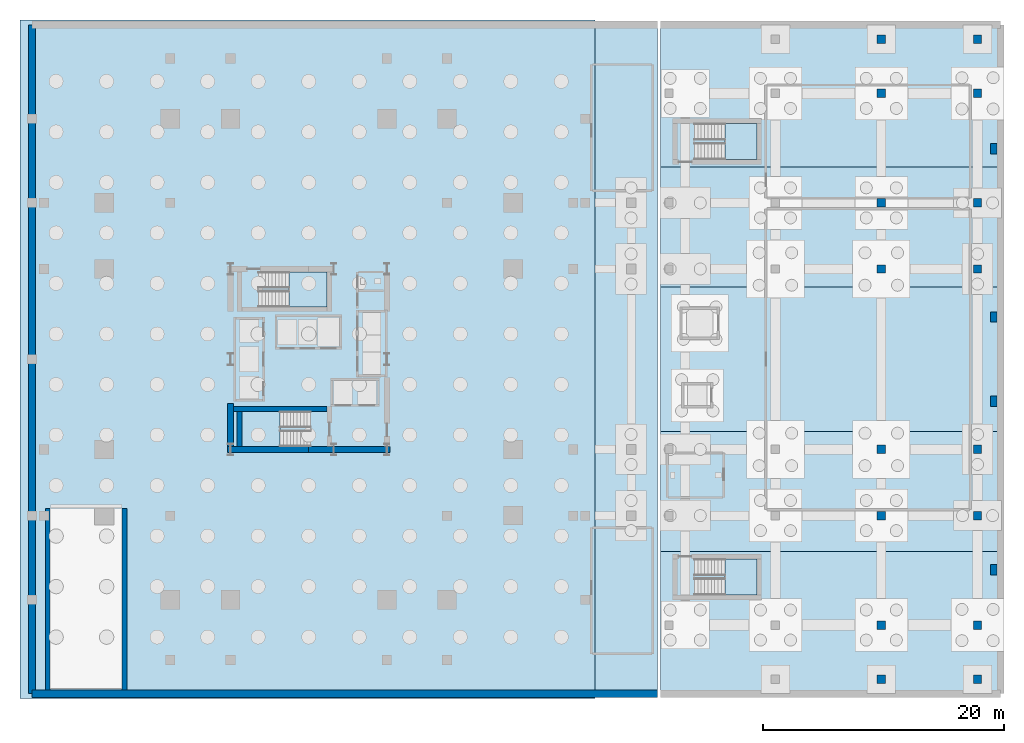
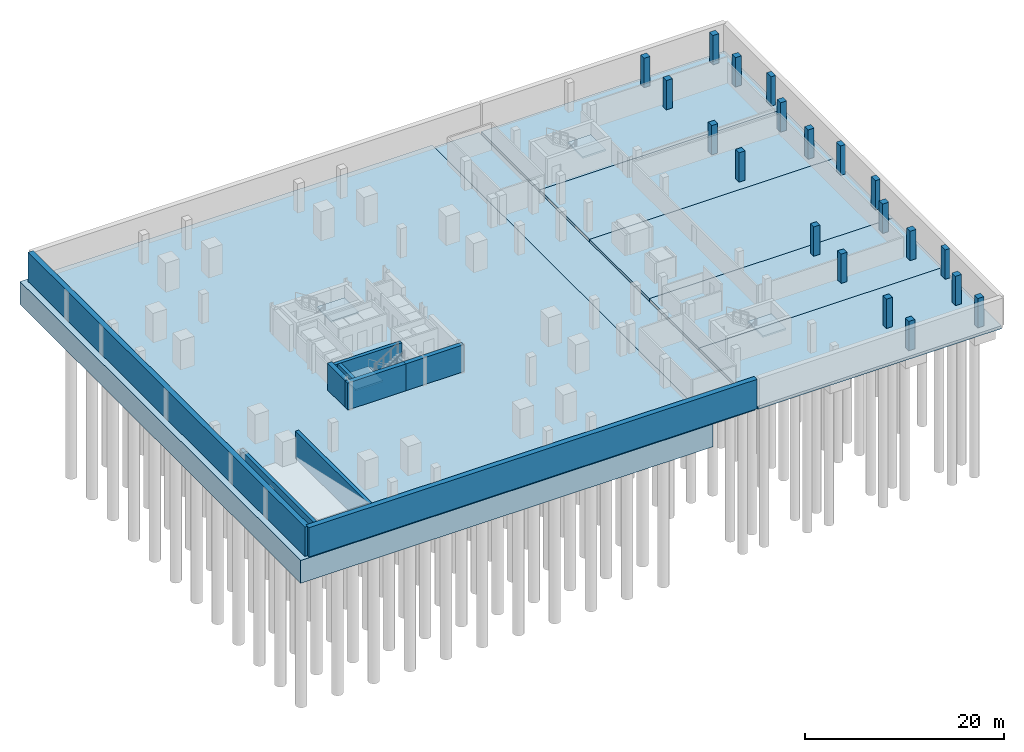
# One storey, part 4 of 13: 20 columns, 11 slabs, 9 walls, 4 elements without a shape of their own.
"""IFC4 building model written with IfcOpenShell, lengths in metres."""

from ifc_helpers import new_model, si_unit, direction, frame, frame_2d, origin, origin_2d, place, context, subcontext, project, spatial, polyline, rectangle, outline, extrude, material, layer, layer_set, material_profile, profile_set, type_object, element, aggregate, save


model = new_model("IFC4")

# Units and contexts
model_context = context("Model", 3, precision=1e-05, world=origin(), true_north=direction((0.0, 1.0)))
body_context = subcontext(model_context, "Body", "Model", "MODEL_VIEW")
ifc_project = project(units=[si_unit("LENGTHUNIT", "METRE"), si_unit("AREAUNIT", "SQUARE_METRE"), si_unit("VOLUMEUNIT", "CUBIC_METRE"), si_unit("PLANEANGLEUNIT", "RADIAN"), si_unit("MASSUNIT", "GRAM", prefix="KILO")], contexts=[model_context])

# Site, building, storey
site_placement = place(None, origin())
site = spatial("IfcSite", under=ifc_project, at=site_placement, CompositionType="ELEMENT")
building_placement = place(site_placement, origin())
building = spatial("IfcBuilding", under=site, at=building_placement, Name="Barlavira Tower and Art Museum", CompositionType="ELEMENT")
storey_placement = place(building_placement, frame((0.0, 0.0, -7.199951171875)))
storey = spatial("IfcBuildingStorey", under=building, at=storey_placement, Name="B02", CompositionType="ELEMENT", Elevation=-7.199951171875)

# Columns
ifc_material_1 = material(Name="Concrete C50", Category="concrete")
ifc_material_profile_1 = material_profile(ifc_material_1, rectangle(XDim=0.550048828125, YDim=0.85009765625, at=origin_2d()), Name="RC-PIL 550x850")
ifc_profile_set_1 = profile_set([ifc_material_profile_1], Name="Concrete C50")
column_type_1 = type_object("IfcColumnType", Name="Museum Coastal Facade Pilaster 550x850 Concrete C50", PredefinedType="PILASTER", material=ifc_profile_set_1)
for number, where, z_axis, x_axis, name in (
    (1, (56.949951171875, -17.5, 0.0), (0.0, 0.0, 1.0), (1.0, 0.0, 0.0), "B02 Museum Facade Pilaster 1"),
    (2, (56.949951171875, -3.5, 0.0), (0.0, 0.0, 1.0), (1.0, 0.0, 0.0), "B02 Museum Facade Pilaster 2"),
    (3, (56.949951171875, 3.5, 0.0), (0.0, 0.0, 1.0), (1.0, 0.0, 0.0), "B02 Museum Facade Pilaster 3"),
    (4, (56.949951171875, 17.5, 0.0), (0.0, 0.0, 1.0), (1.0, 0.0, 0.0), "B02 Museum Facade Pilaster 4"),
):
    element("IfcColumn", number, at=place(storey_placement, frame(where, z_axis=z_axis, x_axis=x_axis)), inside=storey, type_object=column_type_1, Name=name, PredefinedType="PILASTER", context=body_context, shape_type="SweptSolid", body=[
        extrude(rectangle(XDim=0.550048828125, YDim=0.85009765625, at=origin_2d()), origin(), (0.0, 0.0, 1.0), 3.599853515625),
    ])
ifc_material_profile_2 = material_profile(ifc_material_1, rectangle(XDim=0.699951171875, YDim=0.699951171875, at=origin_2d()), Name="RC-COL 700x700")
ifc_profile_set_2 = profile_set([ifc_material_profile_2], Name="Concrete C50")
column_type_2 = type_object("IfcColumnType", Name="Museum Frame Column 700x700 Concrete C50", PredefinedType="COLUMN", material=ifc_profile_set_2)
for number, where, z_axis, x_axis, name in (
    (5, (47.60009765625, -26.60009765625, 0.0), (0.0, 0.0, 1.0), (1.0, 0.0, 0.0), "B02 Pergola Column 2"),
    (6, (55.60009765625, -26.60009765625, 0.0), (0.0, 0.0, 1.0), (1.0, 0.0, 0.0), "B02 Pergola Column 3"),
    (7, (47.60009765625, 26.60009765625, 0.0), (0.0, 0.0, 1.0), (1.0, 0.0, 0.0), "B02 Pergola Column 5"),
    (8, (55.60009765625, 26.60009765625, 0.0), (0.0, 0.0, 1.0), (1.0, 0.0, 0.0), "B02 Pergola Column 6"),
    (9, (47.60009765625, -22.10009765625, 0.0), (0.0, 0.0, 1.0), (1.0, 0.0, 0.0), "B02 Museum Column 3-1"),
    (10, (47.60009765625, -13.0, 0.0), (0.0, 0.0, 1.0), (1.0, 0.0, 0.0), "B02 Museum Column 3-2"),
    (11, (47.60009765625, -7.5, 0.0), (0.0, 0.0, 1.0), (1.0, 0.0, 0.0), "B02 Museum Column 3-3"),
    (12, (47.60009765625, 7.5, 0.0), (0.0, 0.0, 1.0), (1.0, 0.0, 0.0), "B02 Museum Column 3-4"),
    (13, (47.60009765625, 13.0, 0.0), (0.0, 0.0, 1.0), (1.0, 0.0, 0.0), "B02 Museum Column 3-5"),
    (14, (47.60009765625, 22.10009765625, 0.0), (0.0, 0.0, 1.0), (1.0, 0.0, 0.0), "B02 Museum Column 3-6"),
    (15, (55.60009765625, -22.10009765625, 0.0), (0.0, 0.0, 1.0), (1.0, 0.0, 0.0), "B02 Museum Column 4-1"),
    (16, (55.60009765625, -13.0, 0.0), (0.0, 0.0, 1.0), (1.0, 0.0, 0.0), "B02 Museum Column 4-2"),
    (17, (55.60009765625, -7.5, 0.0), (0.0, 0.0, 1.0), (1.0, 0.0, 0.0), "B02 Museum Column 4-3"),
    (18, (55.60009765625, 7.5, 0.0), (0.0, 0.0, 1.0), (1.0, 0.0, 0.0), "B02 Museum Column 4-4"),
    (19, (55.60009765625, 13.0, 0.0), (0.0, 0.0, 1.0), (1.0, 0.0, 0.0), "B02 Museum Column 4-5"),
    (20, (55.60009765625, 22.10009765625, 0.0), (0.0, 0.0, 1.0), (1.0, 0.0, 0.0), "B02 Museum Column 4-6"),
):
    element("IfcColumn", number, at=place(storey_placement, frame(where, z_axis=z_axis, x_axis=x_axis)), inside=storey, type_object=column_type_2, Name=name, PredefinedType="COLUMN", context=body_context, shape_type="SweptSolid", body=[
        extrude(rectangle(XDim=0.699951171875, YDim=0.699951171875, at=origin_2d()), origin(), (0.0, 0.0, 1.0), 3.599853515625),
    ])

# Stair, slab
ifc_material_2 = material(Name="Concrete C45", Category="concrete")
stair_type_1 = type_object("IfcStairType", Name="Museum North Dog-Leg Exit Stair Assembly Concrete C45", PredefinedType="TWO_QUARTER_TURN_STAIR", material=ifc_material_2)
stair_1_placement = place(storey_placement, origin())
stair_1 = element("IfcStair", 21, at=stair_1_placement, inside=storey, type_object=stair_type_1, Name="B02 Museum North Exit Stair ST-M2", PredefinedType="TWO_QUARTER_TURN_STAIR")
ifc_layer_1 = layer(ifc_material_2, 0.199951171875, Name="Concrete C45")
ifc_layer_set_1 = layer_set([ifc_layer_1], Name="Concrete C45")
slab_type_1 = type_object("IfcSlabType", Name="Museum North Dog-Leg Exit Stair Half-Landing Slab 200 Concrete C45", PredefinedType="LANDING", material=ifc_layer_set_1)
slab_1_placement = place(storey_placement, frame((0.0, 0.0, 1.599853515625)))
slab_1 = element("IfcSlab", 22, at=slab_1_placement, type_object=slab_type_1, Name="ST-M2 landing 1", PredefinedType="LANDING", context=body_context, shape_type="SweptSolid", body=[
    extrude(outline(polyline([(34.590087890625, 16.60009765625), (37.25, 16.60009765625), (37.25, 19.60009765625), (34.590087890625, 19.60009765625), (34.590087890625, 16.60009765625)])), origin(), (0.0, 0.0, 1.0), 0.2001953125),
])
aggregate(stair_1, [slab_1])

stair_type_2 = type_object("IfcStairType", Name="Museum South Dog-Leg Exit Stair Assembly Concrete C45", PredefinedType="TWO_QUARTER_TURN_STAIR", material=ifc_material_2)
stair_2_placement = place(storey_placement, origin())
stair_2 = element("IfcStair", 23, at=stair_2_placement, inside=storey, type_object=stair_type_2, Name="B02 Museum South Exit Stair ST-M1", PredefinedType="TWO_QUARTER_TURN_STAIR")
ifc_layer_2 = layer(ifc_material_2, 0.199951171875, Name="Concrete C45")
ifc_layer_set_2 = layer_set([ifc_layer_2], Name="Concrete C45")
slab_type_2 = type_object("IfcSlabType", Name="Museum South Dog-Leg Exit Stair Half-Landing Slab 200 Concrete C45", PredefinedType="LANDING", material=ifc_layer_set_2)
slab_2_placement = place(storey_placement, frame((0.0, 0.0, 1.599853515625)))
slab_2 = element("IfcSlab", 24, at=slab_2_placement, type_object=slab_type_2, Name="ST-M1 landing 1", PredefinedType="LANDING", context=body_context, shape_type="SweptSolid", body=[
    extrude(outline(polyline([(34.590087890625, -19.60009765625), (37.25, -19.60009765625), (37.25, -16.60009765625), (34.590087890625, -16.60009765625), (34.590087890625, -19.60009765625)])), origin(), (0.0, 0.0, 1.0), 0.2001953125),
])
aggregate(stair_2, [slab_2])

# Slabs
ifc_layer_3 = layer(ifc_material_1, 0.360107421875, Name="Concrete C50")
ifc_layer_set_3 = layer_set([ifc_layer_3], Name="Concrete C50")
slab_type_3 = type_object("IfcSlabType", Name="Museum Substructure Base Slab 360 Concrete C50", PredefinedType="BASESLAB", material=ifc_layer_set_3)
slab_3_placement = place(storey_placement, frame((0.0, 0.0, -0.360107421875)))
element("IfcSlab", 25, at=slab_3_placement, inside=storey, type_object=slab_type_3, Name="Arcade Substructure Base Slab", PredefinedType="BASESLAB", context=body_context, shape_type="SweptSolid", body=[
    extrude(outline(polyline([(23.800048828125, -27.800048828125), (29.0, -27.800048828125), (29.0, 27.800048828125), (23.800048828125, 27.800048828125), (23.800048828125, -27.800048828125)])), origin(), (0.0, 0.0, 1.0), 0.360107421875),
])
slab_4_placement = place(storey_placement, frame((0.0, 0.0, -0.360107421875)))
element("IfcSlab", 26, at=slab_4_placement, inside=storey, type_object=slab_type_3, Name="Museum Substructure Base Slab Bay 1", PredefinedType="BASESLAB", context=body_context, shape_type="SweptSolid", body=[
    extrude(outline(polyline([(29.25, -27.800048828125), (57.5, -27.800048828125), (57.5, -16.0), (29.25, -16.0), (29.25, -27.800048828125)])), origin(), (0.0, 0.0, 1.0), 0.360107421875),
])
slab_5_placement = place(storey_placement, frame((0.0, 0.0, -0.360107421875)))
element("IfcSlab", 27, at=slab_5_placement, inside=storey, type_object=slab_type_3, Name="Museum Substructure Base Slab Bay 2", PredefinedType="BASESLAB", context=body_context, shape_type="SweptSolid", body=[
    extrude(outline(polyline([(29.25, -16.0), (57.5, -16.0), (57.5, -6.0), (29.25, -6.0), (29.25, -16.0)])), origin(), (0.0, 0.0, 1.0), 0.360107421875),
])
slab_6_placement = place(storey_placement, frame((0.0, 0.0, -0.360107421875)))
element("IfcSlab", 28, at=slab_6_placement, inside=storey, type_object=slab_type_3, Name="Museum Substructure Base Slab Bay 3", PredefinedType="BASESLAB", context=body_context, shape_type="SweptSolid", body=[
    extrude(outline(polyline([(29.25, -6.0), (57.5, -6.0), (57.5, 6.0), (29.25, 6.0), (29.25, -6.0)])), origin(), (0.0, 0.0, 1.0), 0.360107421875),
])
slab_7_placement = place(storey_placement, frame((0.0, 0.0, -0.360107421875)))
element("IfcSlab", 29, at=slab_7_placement, inside=storey, type_object=slab_type_3, Name="Museum Substructure Base Slab Bay 4", PredefinedType="BASESLAB", context=body_context, shape_type="SweptSolid", body=[
    extrude(outline(polyline([(29.25, 6.0), (57.5, 6.0), (57.5, 16.0), (29.25, 16.0), (29.25, 6.0)])), origin(), (0.0, 0.0, 1.0), 0.360107421875),
])
slab_8_placement = place(storey_placement, frame((0.0, 0.0, -0.360107421875)))
element("IfcSlab", 30, at=slab_8_placement, inside=storey, type_object=slab_type_3, Name="Museum Substructure Base Slab Bay 5", PredefinedType="BASESLAB", context=body_context, shape_type="SweptSolid", body=[
    extrude(outline(polyline([(29.25, 16.0), (57.5, 16.0), (57.5, 27.800048828125), (29.25, 27.800048828125), (29.25, 16.0)])), origin(), (0.0, 0.0, 1.0), 0.360107421875),
])

# Stair, slab
stair_type_3 = type_object("IfcStairType", Name="Tower North Dog-Leg Exit Stair Assembly Concrete C45", PredefinedType="TWO_QUARTER_TURN_STAIR", material=ifc_material_2)
stair_3_placement = place(storey_placement, origin())
stair_3 = element("IfcStair", 31, at=stair_3_placement, inside=storey, type_object=stair_type_3, Name="B02 Tower North Exit Stair ST-T2", PredefinedType="TWO_QUARTER_TURN_STAIR")
ifc_layer_4 = layer(ifc_material_2, 0.199951171875, Name="Concrete C45")
ifc_layer_set_4 = layer_set([ifc_layer_4], Name="Concrete C45")
slab_type_4 = type_object("IfcSlabType", Name="Tower North Dog-Leg Exit Stair Half-Landing Slab 200 Concrete C45", PredefinedType="LANDING", material=ifc_layer_set_4)
slab_9_placement = place(storey_placement, frame((0.0, 0.0, 1.599853515625)))
slab_9 = element("IfcSlab", 32, at=slab_9_placement, type_object=slab_type_4, Name="ST-T2 landing 1", PredefinedType="LANDING", context=body_context, shape_type="SweptSolid", body=[
    extrude(outline(polyline([(-1.64990234375, 4.35009765625), (1.530029296875, 4.35009765625), (1.530029296875, 7.25), (-1.64990234375, 7.25), (-1.64990234375, 4.35009765625)])), origin(), (0.0, 0.0, 1.0), 0.2001953125),
])
aggregate(stair_3, [slab_9])

# Slab
ifc_material_3 = material(Name="Concrete C60", Category="concrete")
ifc_layer_5 = layer(ifc_material_3, 2.800048828125, Name="Concrete C60")
ifc_layer_set_5 = layer_set([ifc_layer_5], Name="Concrete C60")
slab_type_5 = type_object("IfcSlabType", Name="Tower Piled Raft Foundation Slab 2800 Concrete C60", PredefinedType="BASESLAB", material=ifc_layer_set_5)
slab_10_placement = place(storey_placement, frame((0.0, 0.0, -2.800048828125)))
element("IfcSlab", 33, at=slab_10_placement, inside=storey, type_object=slab_type_5, Name="Tower Piled Raft Slab", PredefinedType="BASESLAB", context=body_context, shape_type="SweptSolid", body=[
    extrude(outline(polyline([(-24.0, -28.199951171875), (23.800048828125, -28.199951171875), (23.800048828125, 28.199951171875), (-24.0, 28.199951171875), (-24.0, -28.199951171875)])), origin(), (0.0, 0.0, 1.0), 2.800048828125),
])

# Stair, slab
stair_type_4 = type_object("IfcStairType", Name="Tower South Dog-Leg Exit Stair Assembly Concrete C45", PredefinedType="TWO_QUARTER_TURN_STAIR", material=ifc_material_2)
stair_4_placement = place(storey_placement, origin())
stair_4 = element("IfcStair", 34, at=stair_4_placement, inside=storey, type_object=stair_type_4, Name="B02 Tower South Exit Stair ST-T1", PredefinedType="TWO_QUARTER_TURN_STAIR")
ifc_layer_6 = layer(ifc_material_2, 0.199951171875, Name="Concrete C45")
ifc_layer_set_6 = layer_set([ifc_layer_6], Name="Concrete C45")
slab_type_6 = type_object("IfcSlabType", Name="Tower South Dog-Leg Exit Stair Half-Landing Slab 200 Concrete C45", PredefinedType="LANDING", material=ifc_layer_set_6)
slab_11_placement = place(storey_placement, frame((0.0, 0.0, 1.599853515625)))
slab_11 = element("IfcSlab", 35, at=slab_11_placement, type_object=slab_type_6, Name="ST-T1 landing 1", PredefinedType="LANDING", context=body_context, shape_type="SweptSolid", body=[
    extrude(outline(polyline([(-2.3701171875, -4.35009765625), (-5.550048828125, -4.35009765625), (-5.550048828125, -7.25), (-2.3701171875, -7.25), (-2.3701171875, -4.35009765625)])), origin(), (0.0, 0.0, 1.0), 0.2001953125),
])
aggregate(stair_4, [slab_11])

# Walls
ifc_layer_7 = layer(ifc_material_3, 0.5, Name="Concrete C60")
ifc_layer_set_7 = layer_set([ifc_layer_7], Name="Concrete C60")
wall_type_1 = type_object("IfcWallType", Name="Core Structural Shear Wall 500 Concrete C60", PredefinedType="SHEAR", material=ifc_layer_set_7)
for number, where, z_axis, x_axis, name in (
    (36, (-6.75, -7.5, 0.0), (0.0, 0.0, 1.0), (1.0, 0.0, 0.0), "B02 Core Shear Wall CS-SW"),
    (37, (0.0, -7.5, 0.0), (0.0, 0.0, 1.0), (1.0, 0.0, 0.0), "B02 Core Shear Wall CS-SE"),
):
    element("IfcWall", number, at=place(storey_placement, frame(where, z_axis=z_axis, x_axis=x_axis)), inside=storey, type_object=wall_type_1, Name=name, PredefinedType="SHEAR", context=body_context, shape_type="SweptSolid", body=[
        extrude(rectangle(XDim=6.75, YDim=0.5, at=frame_2d((3.375, 0.0))), origin(), (0.0, 0.0, 1.0), 3.300048828125),
    ])
wall_1_placement = place(storey_placement, frame((-6.5, -7.25, 0.0), z_axis=(0.0, 0.0, 1.0), x_axis=(0.0, 1.0, 0.0)))
element("IfcWall", 38, at=wall_1_placement, inside=storey, type_object=wall_type_1, Name="B02 Core Shear Wall CS-W1", PredefinedType="SHEAR", context=body_context, shape_type="SweptSolid", body=[
    extrude(rectangle(XDim=3.550048828125, YDim=0.5, at=frame_2d((1.77490234375, 0.0))), origin(), (0.0, 0.0, 1.0), 3.300048828125),
])
ifc_layer_8 = layer(ifc_material_1, 0.60009765625, Name="Concrete C50")
ifc_layer_set_8 = layer_set([ifc_layer_8], Name="Concrete C50")
wall_type_2 = type_object("IfcWallType", Name="Perimeter Basement Retaining Wall 600 Concrete C50", PredefinedType="USERDEFINED", material=ifc_layer_set_8)
wall_2_placement = place(storey_placement, frame((-23.0, 27.800048828125, 0.0), z_axis=(0.0, 0.0, 1.0), x_axis=(0.0, -1.0, 0.0)))
element("IfcWall", 39, at=wall_2_placement, inside=storey, type_object=wall_type_2, Name="B02 Retaining Wall W", ObjectType="RETAININGWALL", PredefinedType="USERDEFINED", context=body_context, shape_type="SweptSolid", body=[
    extrude(rectangle(XDim=55.60009765625, YDim=0.60009765625, at=frame_2d((27.800048828125, 0.0))), origin(), (0.0, 0.0, 1.0), 3.599853515625),
])
wall_3_placement = place(storey_placement, frame((-23.0, -27.800048828125, 0.0), z_axis=(0.0, 0.0, 1.0), x_axis=(1.0, 0.0, 0.0)))
element("IfcWall", 40, at=wall_3_placement, inside=storey, type_object=wall_type_2, Name="B02 Retaining Wall SW", ObjectType="RETAININGWALL", PredefinedType="USERDEFINED", context=body_context, shape_type="SweptSolid", body=[
    extrude(rectangle(XDim=52.0, YDim=0.60009765625, at=frame_2d((26.0, 0.0))), origin(), (0.0, 0.0, 1.0), 3.599853515625),
])
ifc_material_4 = material(Name="Concrete C55", Category="concrete")
ifc_layer_9 = layer(ifc_material_4, 0.39990234375, Name="Concrete C55")
ifc_layer_set_9 = layer_set([ifc_layer_9], Name="Concrete C55")
wall_type_3 = type_object("IfcWallType", Name="Upper Core Shear Wall 400 Concrete C55", PredefinedType="SHEAR", material=ifc_layer_set_9)
wall_4_placement = place(storey_placement, frame((-5.75, -7.25, 0.0), z_axis=(0.0, 0.0, 1.0), x_axis=(0.0, 1.0, 0.0)))
element("IfcWall", 41, at=wall_4_placement, inside=storey, type_object=wall_type_3, Name="B02 ST-T1 West Half-Landing Wall", PredefinedType="SHEAR", context=body_context, shape_type="SweptSolid", body=[
    extrude(rectangle(XDim=2.89990234375, YDim=0.39990234375, at=frame_2d((1.449951171875, 0.0))), origin(), (0.0, 0.0, 1.0), 3.300048828125),
])
wall_5_placement = place(storey_placement, frame((-6.25, -4.14990234375, 0.0), z_axis=(0.0, 0.0, 1.0), x_axis=(1.0, 0.0, 0.0)))
element("IfcWall", 42, at=wall_5_placement, inside=storey, type_object=wall_type_3, Name="B02 ST-T1 North Shaft Wall", PredefinedType="SHEAR", context=body_context, shape_type="SweptSolid", body=[
    extrude(rectangle(XDim=7.780029296875, YDim=0.39990234375, at=frame_2d((3.89013671875, 0.0))), origin(), (0.0, 0.0, 1.0), 3.300048828125),
])
for number, where, z_axis, x_axis, name in (
    (43, (-21.699951171875, -27.5, 0.0), (0.0, 0.0, 1.0), (0.0, 1.0, 0.0), "B02 Vehicle Ramp West Structural Wall"),
    (44, (-15.300048828125, -27.5, 0.0), (0.0, 0.0, 1.0), (0.0, 1.0, 0.0), "B02 Vehicle Ramp East Structural Wall"),
):
    element("IfcWall", number, at=place(storey_placement, frame(where, z_axis=z_axis, x_axis=x_axis)), inside=storey, type_object=wall_type_3, Name=name, PredefinedType="SHEAR", context=body_context, shape_type="SweptSolid", body=[
        extrude(rectangle(XDim=15.10009765625, YDim=0.39990234375, at=frame_2d((7.550048828125, 0.0))), origin(), (0.0, 0.0, 1.0), 3.300048828125),
    ])

save(model, "model.ifc")
